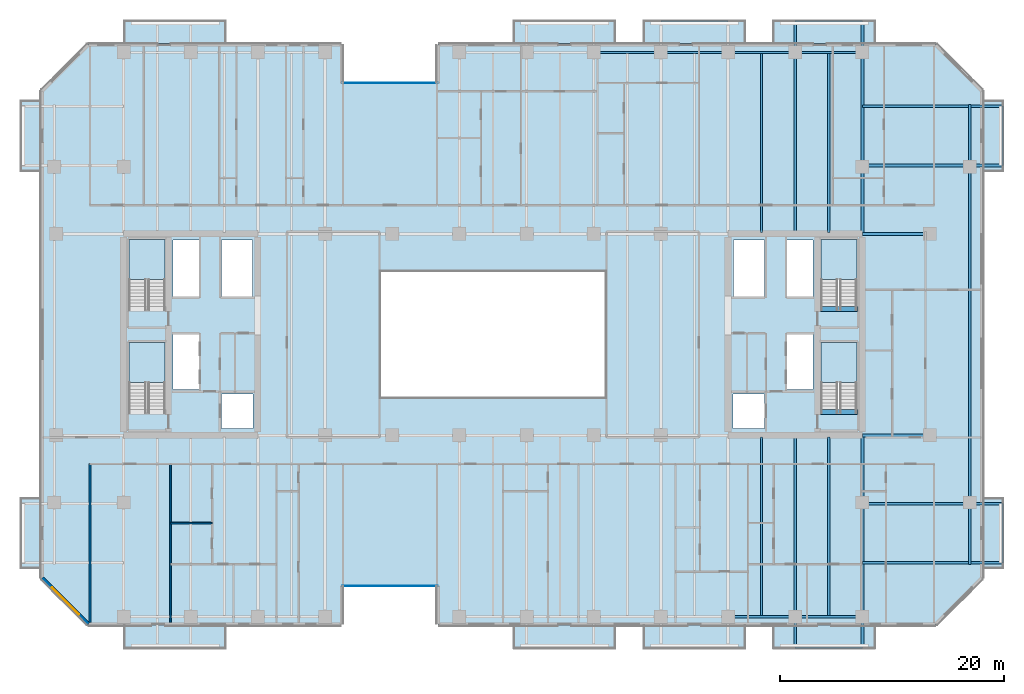
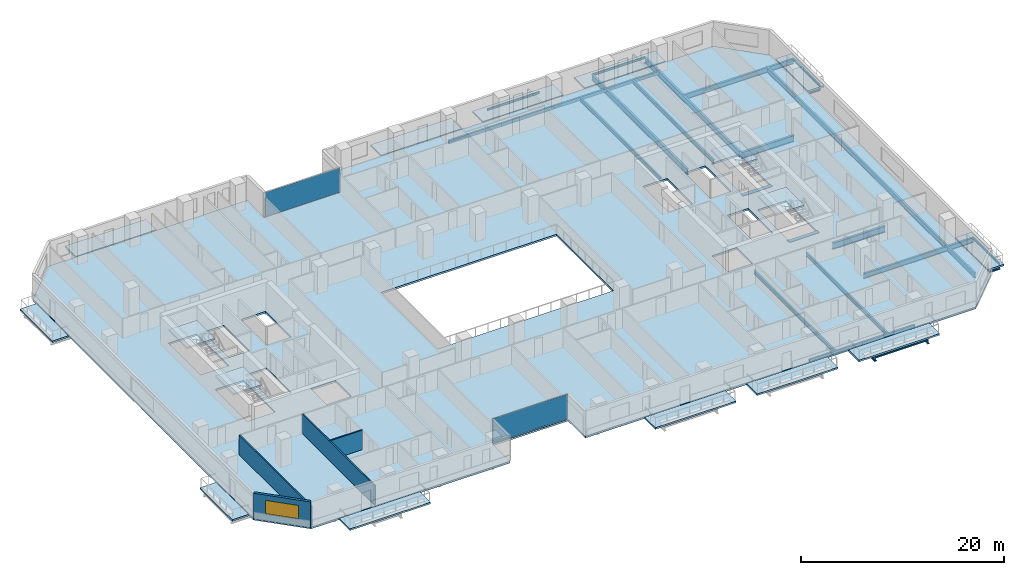
# One storey, part 9 of 26: 30 beams, 17 slabs, 4 walls, 2 plates, 1 window, 1 opening, 6 elements without a shape of their own.
"""IFC4 building model written with IfcOpenShell, lengths in metres."""

from ifc_helpers import new_model, si_unit, direction, frame, frame_2d, origin, origin_2d, place, context, subcontext, project, spatial, polyline, rectangle, hollow_rectangle, i_section, outline, extrude, material, layer, layer_set, material_profile, profile_set, type_object, element, fill, aggregate, save


model = new_model("IFC4")

# Units and contexts
model_context = context("Model", 3, precision=1e-05, world=origin(), true_north=direction((0.0, 1.0)))
body_context = subcontext(model_context, "Body", "Model", "MODEL_VIEW")
ifc_project = project(units=[si_unit("LENGTHUNIT", "METRE"), si_unit("AREAUNIT", "SQUARE_METRE"), si_unit("VOLUMEUNIT", "CUBIC_METRE"), si_unit("PLANEANGLEUNIT", "RADIAN"), si_unit("MASSUNIT", "GRAM", prefix="KILO")], contexts=[model_context])

# Site, building, storey
site_placement = place(None, origin())
site = spatial("IfcSite", under=ifc_project, at=site_placement, CompositionType="ELEMENT")
building_placement = place(site_placement, origin())
building = spatial("IfcBuilding", under=site, at=building_placement, Name="Tanjung Sevakor Pilgrim Tower", CompositionType="ELEMENT")
storey_placement = place(building_placement, frame((0.0, 0.0, 45.5400390625)))
storey = spatial("IfcBuildingStorey", under=building, at=storey_placement, Name="L12", CompositionType="ELEMENT", Elevation=45.5400390625)

# Beams
ifc_material_1 = material(Name="Steel S355J2", Category="steel")
ifc_material_profile_1 = material_profile(ifc_material_1, i_section(OverallWidth=0.26806640625, OverallDepth=0.769775390625, WebThickness=0.015625, FlangeThickness=0.025390625, FilletRadius=0.0166015625, at=origin_2d()))
ifc_profile_set_1 = profile_set([ifc_material_profile_1], Name="Steel S355J2")
beam_type_1 = type_object("IfcBeamType", Name="BM-B-G1-UB_762x267x197", PredefinedType="BEAM", material=ifc_profile_set_1)
for number, where, z_axis, x_axis, name in (
    (1, (90.0, 24.60009765625, -0.60498046875), (1.0, 0.0, 0.0), (0.0, 1.0, 0.0), "L12 Primary Floor Girder MAIN Y246-09"),
    (2, (90.0, 42.60009765625, -0.60498046875), (1.0, 0.0, 0.0), (0.0, 1.0, 0.0), "L12 Primary Floor Girder MAIN Y426-09"),
):
    element("IfcBeam", number, at=place(storey_placement, frame(where, z_axis=z_axis, x_axis=x_axis)), inside=storey, type_object=beam_type_1, Name=name, PredefinedType="BEAM", context=body_context, shape_type="SweptSolid", body=[
        extrude(i_section(OverallWidth=0.26806640625, OverallDepth=0.769775390625, WebThickness=0.015625, FlangeThickness=0.025390625, FilletRadius=0.0166015625, at=origin_2d()), origin(), (0.0, 0.0, 1.0), 6.0),
    ])
ifc_material_2 = material(Name="Steel S355J2", Category="steel")
ifc_material_profile_2 = material_profile(ifc_material_2, i_section(OverallWidth=0.25439453125, OverallDepth=0.6875, WebThickness=0.01318359375, FlangeThickness=0.02099609375, FilletRadius=0.01513671875, at=origin_2d()))
ifc_profile_set_2 = profile_set([ifc_material_profile_2], Name="Steel S355J2")
beam_type_2 = type_object("IfcBeamType", Name="BM-B-G2-UB_686x254x152", PredefinedType="BEAM", material=ifc_profile_set_2)
beam_1_placement = place(storey_placement, frame((84.0, 24.466064453125, -0.563720703125), z_axis=(0.0, -1.0, 0.0), x_axis=(1.0, 0.0, 0.0)))
element("IfcBeam", 3, at=beam_1_placement, inside=storey, type_object=beam_type_2, Name="L12 Balcony Cantilever Beam MAIN-S4-1", PredefinedType="BEAM", context=body_context, shape_type="SweptSolid", body=[
    extrude(i_section(OverallWidth=0.25439453125, OverallDepth=0.6875, WebThickness=0.01318359375, FlangeThickness=0.02099609375, FilletRadius=0.01513671875, at=origin_2d()), origin(), (0.0, 0.0, 1.0), 18.845947265625),
])
beam_2_placement = place(storey_placement, frame((84.0, 42.73388671875, -0.563720703125), z_axis=(0.0, 1.0, 0.0), x_axis=(-1.0, 0.0, 0.0)))
element("IfcBeam", 4, at=beam_2_placement, inside=storey, type_object=beam_type_2, Name="L12 Balcony Cantilever Beam MAIN-N4-1", PredefinedType="BEAM", context=body_context, shape_type="SweptSolid", body=[
    extrude(i_section(OverallWidth=0.25439453125, OverallDepth=0.6875, WebThickness=0.01318359375, FlangeThickness=0.02099609375, FilletRadius=0.01513671875, at=origin_2d()), origin(), (0.0, 0.0, 1.0), 18.84619140625),
])
beam_3_placement = place(storey_placement, frame((90.0, 24.466064453125, -0.563720703125), z_axis=(0.0, -1.0, 0.0), x_axis=(1.0, 0.0, 0.0)))
element("IfcBeam", 5, at=beam_3_placement, inside=storey, type_object=beam_type_2, Name="L12 Balcony Cantilever Beam MAIN-S4-2", PredefinedType="BEAM", context=body_context, shape_type="SweptSolid", body=[
    extrude(i_section(OverallWidth=0.25439453125, OverallDepth=0.6875, WebThickness=0.01318359375, FlangeThickness=0.02099609375, FilletRadius=0.01513671875, at=origin_2d()), origin(), (0.0, 0.0, 1.0), 18.845947265625),
])
beam_4_placement = place(storey_placement, frame((90.0, 42.73388671875, -0.563720703125), z_axis=(0.0, 1.0, 0.0), x_axis=(-1.0, 0.0, 0.0)))
element("IfcBeam", 6, at=beam_4_placement, inside=storey, type_object=beam_type_2, Name="L12 Balcony Cantilever Beam MAIN-N4-2", PredefinedType="BEAM", context=body_context, shape_type="SweptSolid", body=[
    extrude(i_section(OverallWidth=0.25439453125, OverallDepth=0.6875, WebThickness=0.01318359375, FlangeThickness=0.02099609375, FilletRadius=0.01513671875, at=origin_2d()), origin(), (0.0, 0.0, 1.0), 18.84619140625),
])
ifc_material_3 = material(Name="Steel S355J2", Category="steel")
ifc_material_profile_3 = material_profile(ifc_material_3, i_section(OverallWidth=0.22900390625, OverallDepth=0.6123046875, WebThickness=0.011962890625, FlangeThickness=0.01953125, FilletRadius=0.0126953125, at=origin_2d()))
ifc_profile_set_3 = profile_set([ifc_material_profile_3], Name="Steel S355J2")
beam_type_3 = type_object("IfcBeamType", Name="BM-B-G4-UB_610x229x125", PredefinedType="BEAM", material=ifc_profile_set_3)
beam_5_placement = place(storey_placement, frame((99.60009765625, 18.60009765625, -0.526123046875), z_axis=(0.0, 1.0, 0.0), x_axis=(-1.0, 0.0, 0.0)))
element("IfcBeam", 7, at=beam_5_placement, inside=storey, type_object=beam_type_3, Name="L12 Short-End Edge Girder E", PredefinedType="BEAM", context=body_context, shape_type="SweptSolid", body=[
    extrude(i_section(OverallWidth=0.22900390625, OverallDepth=0.6123046875, WebThickness=0.011962890625, FlangeThickness=0.01953125, FilletRadius=0.0126953125, at=origin_2d()), origin(), (0.0, 0.0, 1.0), 30.0),
])
beam_6_placement = place(storey_placement, frame((99.60009765625, 18.60009765625, -0.526123046875), z_axis=(0.0, -1.0, 0.0), x_axis=(1.0, 0.0, 0.0)))
element("IfcBeam", 8, at=beam_6_placement, inside=storey, type_object=beam_type_3, Name="L12 Short-End Edge Extension S-E", PredefinedType="BEAM", context=body_context, shape_type="SweptSolid", body=[
    extrude(i_section(OverallWidth=0.22900390625, OverallDepth=0.6123046875, WebThickness=0.011962890625, FlangeThickness=0.01953125, FilletRadius=0.0126953125, at=origin_2d()), origin(), (0.0, 0.0, 1.0), 5.550048828125),
])
for number, where, z_axis, x_axis, name in (
    (9, (90.0, 13.199951171875, -0.526123046875), (1.0, 0.0, 0.0), (0.0, 1.0, 0.0), "L12 Balcony Overhanging Beam MAIN-E1-1"),
    (10, (90.0, 18.5, -0.526123046875), (1.0, 0.0, 0.0), (0.0, 1.0, 0.0), "L12 Balcony Overhanging Beam MAIN-E1-2"),
):
    element("IfcBeam", number, at=place(storey_placement, frame(where, z_axis=z_axis, x_axis=x_axis)), inside=storey, type_object=beam_type_3, Name=name, PredefinedType="BEAM", context=body_context, shape_type="SweptSolid", body=[
        extrude(i_section(OverallWidth=0.22900390625, OverallDepth=0.6123046875, WebThickness=0.011962890625, FlangeThickness=0.01953125, FilletRadius=0.0126953125, at=origin_2d()), origin(), (0.0, 0.0, 1.0), 12.530029296875),
    ])
beam_7_placement = place(storey_placement, frame((99.60009765625, 48.60009765625, -0.526123046875), z_axis=(0.0, 1.0, 0.0), x_axis=(-1.0, 0.0, 0.0)))
element("IfcBeam", 11, at=beam_7_placement, inside=storey, type_object=beam_type_3, Name="L12 Short-End Edge Extension N-E", PredefinedType="BEAM", context=body_context, shape_type="SweptSolid", body=[
    extrude(i_section(OverallWidth=0.22900390625, OverallDepth=0.6123046875, WebThickness=0.011962890625, FlangeThickness=0.01953125, FilletRadius=0.0126953125, at=origin_2d()), origin(), (0.0, 0.0, 1.0), 5.5498046875),
])
for number, where, z_axis, x_axis, name in (
    (12, (90.0, 48.699951171875, -0.526123046875), (1.0, 0.0, 0.0), (0.0, 1.0, 0.0), "L12 Balcony Overhanging Beam MAIN-E2-1"),
    (13, (90.0, 54.0, -0.526123046875), (1.0, 0.0, 0.0), (0.0, 1.0, 0.0), "L12 Balcony Overhanging Beam MAIN-E2-2"),
):
    element("IfcBeam", number, at=place(storey_placement, frame(where, z_axis=z_axis, x_axis=x_axis)), inside=storey, type_object=beam_type_3, Name=name, PredefinedType="BEAM", context=body_context, shape_type="SweptSolid", body=[
        extrude(i_section(OverallWidth=0.22900390625, OverallDepth=0.6123046875, WebThickness=0.011962890625, FlangeThickness=0.01953125, FilletRadius=0.0126953125, at=origin_2d()), origin(), (0.0, 0.0, 1.0), 12.530029296875),
    ])
ifc_material_4 = material(Name="Steel S355J2", Category="steel")
ifc_material_profile_4 = material_profile(ifc_material_4, i_section(OverallWidth=0.19140625, OverallDepth=0.4599609375, WebThickness=0.010009765625, FlangeThickness=0.01611328125, FilletRadius=0.01025390625, at=origin_2d()))
ifc_profile_set_4 = profile_set([ifc_material_profile_4], Name="Steel S355J2")
beam_type_4 = type_object("IfcBeamType", Name="BM-B-J2-UB_457x191x82", PredefinedType="JOIST", material=ifc_profile_set_4)
for number, where, z_axis, x_axis, name in (
    (14, (81.0, 8.5, -0.449951171875), (0.0, 1.0, 0.0), (-1.0, 0.0, 0.0), "L12 MAIN Joist 026"),
    (15, (81.0, 42.73388671875, -0.449951171875), (0.0, 1.0, 0.0), (-1.0, 0.0, 0.0), "L12 MAIN Joist 027"),
    (16, (87.0, 8.5, -0.449951171875), (0.0, 1.0, 0.0), (-1.0, 0.0, 0.0), "L12 MAIN Joist 028"),
    (17, (87.0, 42.73388671875, -0.449951171875), (0.0, 1.0, 0.0), (-1.0, 0.0, 0.0), "L12 MAIN Joist 029"),
):
    element("IfcBeam", number, at=place(storey_placement, frame(where, z_axis=z_axis, x_axis=x_axis)), inside=storey, type_object=beam_type_4, Name=name, PredefinedType="JOIST", context=body_context, shape_type="SweptSolid", body=[
        extrude(i_section(OverallWidth=0.19140625, OverallDepth=0.4599609375, WebThickness=0.010009765625, FlangeThickness=0.01611328125, FilletRadius=0.01025390625, at=origin_2d()), origin(), (0.0, 0.0, 1.0), 15.966064453125),
    ])
ifc_material_5 = material(Name="Steel S355J2", Category="steel")
ifc_material_profile_5 = material_profile(ifc_material_5, i_section(OverallWidth=0.146484375, OverallDepth=0.256103515625, WebThickness=0.00634765625, FlangeThickness=0.010986328125, FilletRadius=0.007568359375, at=origin_2d()))
ifc_profile_set_5 = profile_set([ifc_material_profile_5], Name="Steel S355J2")
beam_type_5 = type_object("IfcBeamType", Name="BM-B-J6-UB_254x146x37", PredefinedType="JOIST", material=ifc_profile_set_5)
for number, where, z_axis, x_axis, name in (
    (18, (72.0, 61.580078125, -0.328125), (1.0, 0.0, 0.0), (0.0, 1.0, 0.0), "L12 Balcony Rim Tie MAIN-N3"),
    (19, (84.0, 5.6201171875, -0.328125), (1.0, 0.0, 0.0), (0.0, 1.0, 0.0), "L12 Balcony Rim Tie MAIN-S4"),
    (20, (84.0, 61.580078125, -0.328125), (1.0, 0.0, 0.0), (0.0, 1.0, 0.0), "L12 Balcony Rim Tie MAIN-N4"),
):
    element("IfcBeam", number, at=place(storey_placement, frame(where, z_axis=z_axis, x_axis=x_axis)), inside=storey, type_object=beam_type_5, Name=name, PredefinedType="JOIST", context=body_context, shape_type="SweptSolid", body=[
        extrude(i_section(OverallWidth=0.146484375, OverallDepth=0.256103515625, WebThickness=0.00634765625, FlangeThickness=0.010986328125, FilletRadius=0.007568359375, at=origin_2d()), origin(), (0.0, 0.0, 1.0), 6.0),
    ])
for number, where, z_axis, x_axis, name in (
    (21, (102.530029296875, 13.199951171875, -0.328125), (0.0, 1.0, 0.0), (-1.0, 0.0, 0.0), "L12 Balcony Rim Tie MAIN-E1"),
    (22, (102.530029296875, 48.699951171875, -0.328125), (0.0, 1.0, 0.0), (-1.0, 0.0, 0.0), "L12 Balcony Rim Tie MAIN-E2"),
):
    element("IfcBeam", number, at=place(storey_placement, frame(where, z_axis=z_axis, x_axis=x_axis)), inside=storey, type_object=beam_type_5, Name=name, PredefinedType="JOIST", context=body_context, shape_type="SweptSolid", body=[
        extrude(i_section(OverallWidth=0.146484375, OverallDepth=0.256103515625, WebThickness=0.00634765625, FlangeThickness=0.010986328125, FilletRadius=0.007568359375, at=origin_2d()), origin(), (0.0, 0.0, 1.0), 5.300048828125),
    ])
ifc_material_6 = material(Name="Concrete C60/75", Category="concrete")
ifc_material_profile_6 = material_profile(ifc_material_6, rectangle(XDim=0.449951171875, YDim=0.699951171875, at=origin_2d()))
ifc_profile_set_6 = profile_set([ifc_material_profile_6], Name="Concrete C60/75")
beam_type_6 = type_object("IfcBeamType", Name="BM-B-LN3-RC-BM_450x700", PredefinedType="LINTEL", material=ifc_profile_set_6)
for number, where, z_axis, x_axis, name in (
    (23, (86.199951171875, 26.699951171875, -0.35009765625), (1.0, 0.0, 0.0), (0.0, 1.0, 0.0), "L12 TS-E1 Stair Threshold Beam"),
    (24, (86.199951171875, 35.89990234375, -0.35009765625), (1.0, 0.0, 0.0), (0.0, 1.0, 0.0), "L12 TS-E2 Stair Threshold Beam"),
):
    element("IfcBeam", number, at=place(storey_placement, frame(where, z_axis=z_axis, x_axis=x_axis)), inside=storey, type_object=beam_type_6, Name=name, PredefinedType="LINTEL", context=body_context, shape_type="SweptSolid", body=[
        extrude(rectangle(XDim=0.449951171875, YDim=0.699951171875, at=origin_2d()), origin(), (0.0, 0.0, 1.0), 3.400146484375),
    ])
ifc_material_7 = material(Name="Steel S355J2", Category="steel")
ifc_material_profile_7 = material_profile(ifc_material_7, hollow_rectangle(XDim=0.199951171875, YDim=0.39990234375, WallThickness=0.01611328125, at=origin_2d()))
ifc_profile_set_7 = profile_set([ifc_material_profile_7], Name="Steel S355J2")
beam_type_7 = type_object("IfcBeamType", Name="BM-B-SP2-RHS_400x200x16", PredefinedType="SPANDREL", material=ifc_profile_set_7)
for number, where, z_axis, x_axis, name in (
    (25, (66.0, 58.800048828125, -0.419921875), (1.0, 0.0, 0.0), (0.0, 1.0, 0.0), "L12 Spandrel MAIN N-12"),
    (26, (72.0, 58.800048828125, -0.419921875), (1.0, 0.0, 0.0), (0.0, 1.0, 0.0), "L12 Spandrel MAIN N-14"),
    (27, (78.0, 8.39990234375, -0.419921875), (1.0, 0.0, 0.0), (0.0, 1.0, 0.0), "L12 Spandrel MAIN S-15"),
    (28, (78.0, 58.800048828125, -0.419921875), (1.0, 0.0, 0.0), (0.0, 1.0, 0.0), "L12 Spandrel MAIN N-16"),
    (29, (84.0, 8.39990234375, -0.419921875), (1.0, 0.0, 0.0), (0.0, 1.0, 0.0), "L12 Spandrel MAIN S-17"),
    (30, (84.0, 58.800048828125, -0.419921875), (1.0, 0.0, 0.0), (0.0, 1.0, 0.0), "L12 Spandrel MAIN N-18"),
):
    element("IfcBeam", number, at=place(storey_placement, frame(where, z_axis=z_axis, x_axis=x_axis)), inside=storey, type_object=beam_type_7, Name=name, PredefinedType="SPANDREL", context=body_context, shape_type="SweptSolid", body=[
        extrude(hollow_rectangle(XDim=0.199951171875, YDim=0.39990234375, WallThickness=0.01611328125, at=origin_2d()), origin(), (0.0, 0.0, 1.0), 6.0),
    ])

# Slabs
ifc_material_8 = material(Name="Concrete C40/50", Category="concrete")
ifc_layer_1 = layer(ifc_material_8, 0.199951171875)
ifc_layer_set_1 = layer_set([ifc_layer_1], Name="SL-BAL-200")
slab_type_1 = type_object("IfcSlabType", Name="SL-BAL-200", PredefinedType="FLOOR", material=ifc_layer_set_1)
slab_1_placement = place(storey_placement, frame((0.0, 0.0, -0.199951171875)))
element("IfcSlab", 31, at=slab_1_placement, inside=storey, type_object=slab_type_1, Name="L12 Planted Loggia Balcony MAIN-S1", PredefinedType="FLOOR", context=body_context, shape_type="SweptSolid", body=[
    extrude(outline(polyline([(24.0, 5.5), (33.199951171875, 5.5), (33.199951171875, 7.60009765625), (24.0, 7.60009765625), (24.0, 5.5)])), origin(), (0.0, 0.0, 1.0), 0.199951171875),
])
slab_2_placement = place(storey_placement, frame((0.0, 0.0, -0.199951171875)))
element("IfcSlab", 32, at=slab_2_placement, inside=storey, type_object=slab_type_1, Name="L12 Planted Loggia Balcony MAIN-N1", PredefinedType="FLOOR", context=body_context, shape_type="SweptSolid", body=[
    extrude(outline(polyline([(24.0, 59.60009765625), (33.199951171875, 59.60009765625), (33.199951171875, 61.699951171875), (24.0, 61.699951171875), (24.0, 59.60009765625)])), origin(), (0.0, 0.0, 1.0), 0.199951171875),
])
slab_3_placement = place(storey_placement, frame((0.0, 0.0, -0.199951171875)))
element("IfcSlab", 33, at=slab_3_placement, inside=storey, type_object=slab_type_1, Name="L12 Planted Loggia Balcony MAIN-S2", PredefinedType="FLOOR", context=body_context, shape_type="SweptSolid", body=[
    extrude(outline(polyline([(58.800048828125, 5.5), (68.0, 5.5), (68.0, 7.60009765625), (58.800048828125, 7.60009765625), (58.800048828125, 5.5)])), origin(), (0.0, 0.0, 1.0), 0.199951171875),
])
slab_4_placement = place(storey_placement, frame((0.0, 0.0, -0.199951171875)))
element("IfcSlab", 34, at=slab_4_placement, inside=storey, type_object=slab_type_1, Name="L12 Planted Loggia Balcony MAIN-N2", PredefinedType="FLOOR", context=body_context, shape_type="SweptSolid", body=[
    extrude(outline(polyline([(58.800048828125, 59.60009765625), (68.0, 59.60009765625), (68.0, 61.699951171875), (58.800048828125, 61.699951171875), (58.800048828125, 59.60009765625)])), origin(), (0.0, 0.0, 1.0), 0.199951171875),
])
slab_5_placement = place(storey_placement, frame((0.0, 0.0, -0.199951171875)))
element("IfcSlab", 35, at=slab_5_placement, inside=storey, type_object=slab_type_1, Name="L12 Planted Loggia Balcony MAIN-S3", PredefinedType="FLOOR", context=body_context, shape_type="SweptSolid", body=[
    extrude(outline(polyline([(70.39990234375, 5.5), (79.60009765625, 5.5), (79.60009765625, 7.60009765625), (70.39990234375, 7.60009765625), (70.39990234375, 5.5)])), origin(), (0.0, 0.0, 1.0), 0.199951171875),
])
slab_6_placement = place(storey_placement, frame((0.0, 0.0, -0.199951171875)))
element("IfcSlab", 36, at=slab_6_placement, inside=storey, type_object=slab_type_1, Name="L12 Planted Loggia Balcony MAIN-N3", PredefinedType="FLOOR", context=body_context, shape_type="SweptSolid", body=[
    extrude(outline(polyline([(70.39990234375, 59.60009765625), (79.60009765625, 59.60009765625), (79.60009765625, 61.699951171875), (70.39990234375, 61.699951171875), (70.39990234375, 59.60009765625)])), origin(), (0.0, 0.0, 1.0), 0.199951171875),
])
slab_7_placement = place(storey_placement, frame((0.0, 0.0, -0.199951171875)))
element("IfcSlab", 37, at=slab_7_placement, inside=storey, type_object=slab_type_1, Name="L12 Planted Loggia Balcony MAIN-S4", PredefinedType="FLOOR", context=body_context, shape_type="SweptSolid", body=[
    extrude(outline(polyline([(82.0, 5.5), (91.199951171875, 5.5), (91.199951171875, 7.60009765625), (82.0, 7.60009765625), (82.0, 5.5)])), origin(), (0.0, 0.0, 1.0), 0.199951171875),
])
slab_8_placement = place(storey_placement, frame((0.0, 0.0, -0.199951171875)))
element("IfcSlab", 38, at=slab_8_placement, inside=storey, type_object=slab_type_1, Name="L12 Planted Loggia Balcony MAIN-N4", PredefinedType="FLOOR", context=body_context, shape_type="SweptSolid", body=[
    extrude(outline(polyline([(82.0, 59.60009765625), (91.199951171875, 59.60009765625), (91.199951171875, 61.699951171875), (82.0, 61.699951171875), (82.0, 59.60009765625)])), origin(), (0.0, 0.0, 1.0), 0.199951171875),
])
slab_9_placement = place(storey_placement, frame((0.0, 0.0, -0.199951171875)))
element("IfcSlab", 39, at=slab_9_placement, inside=storey, type_object=slab_type_1, Name="L12 Planted Loggia Balcony MAIN-W1", PredefinedType="FLOOR", context=body_context, shape_type="SweptSolid", body=[
    extrude(outline(polyline([(14.75, 12.64990234375), (16.60009765625, 12.64990234375), (16.60009765625, 19.050048828125), (14.75, 19.050048828125), (14.75, 12.64990234375)])), origin(), (0.0, 0.0, 1.0), 0.199951171875),
])
slab_10_placement = place(storey_placement, frame((0.0, 0.0, -0.199951171875)))
element("IfcSlab", 40, at=slab_10_placement, inside=storey, type_object=slab_type_1, Name="L12 Planted Loggia Balcony MAIN-E1", PredefinedType="FLOOR", context=body_context, shape_type="SweptSolid", body=[
    extrude(outline(polyline([(100.800048828125, 12.64990234375), (102.64990234375, 12.64990234375), (102.64990234375, 19.050048828125), (100.800048828125, 19.050048828125), (100.800048828125, 12.64990234375)])), origin(), (0.0, 0.0, 1.0), 0.199951171875),
])
slab_11_placement = place(storey_placement, frame((0.0, 0.0, -0.199951171875)))
element("IfcSlab", 41, at=slab_11_placement, inside=storey, type_object=slab_type_1, Name="L12 Planted Loggia Balcony MAIN-W2", PredefinedType="FLOOR", context=body_context, shape_type="SweptSolid", body=[
    extrude(outline(polyline([(14.75, 48.14990234375), (16.60009765625, 48.14990234375), (16.60009765625, 54.550048828125), (14.75, 54.550048828125), (14.75, 48.14990234375)])), origin(), (0.0, 0.0, 1.0), 0.199951171875),
])
slab_12_placement = place(storey_placement, frame((0.0, 0.0, -0.199951171875)))
element("IfcSlab", 42, at=slab_12_placement, inside=storey, type_object=slab_type_1, Name="L12 Planted Loggia Balcony MAIN-E2", PredefinedType="FLOOR", context=body_context, shape_type="SweptSolid", body=[
    extrude(outline(polyline([(100.800048828125, 48.14990234375), (102.64990234375, 48.14990234375), (102.64990234375, 54.550048828125), (100.800048828125, 54.550048828125), (100.800048828125, 48.14990234375)])), origin(), (0.0, 0.0, 1.0), 0.199951171875),
])

# Stair, slab
ifc_material_9 = material(Name="Concrete C40/50", Category="concrete")
stair_type = type_object("IfcStairType", Name="STAIR-ST-CR150", PredefinedType="HALF_TURN_STAIR", material=ifc_material_9)
stair_1_placement = place(storey_placement, origin())
stair_1 = element("IfcStair", 43, at=stair_1_placement, inside=storey, type_object=stair_type, Name="L12 West Core Exit Stair 1", PredefinedType="HALF_TURN_STAIR")
ifc_material_10 = material(Name="Concrete C40/50", Category="concrete")
ifc_layer_2 = layer(ifc_material_10, 0.199951171875)
ifc_layer_set_2 = layer_set([ifc_layer_2], Name="SL-LAND-200")
slab_type_2 = type_object("IfcSlabType", Name="SL-LAND-200", PredefinedType="LANDING", material=ifc_layer_set_2)
slab_13_placement = place(storey_placement, frame((0.0, 0.0, 1.449951171875)))
slab_13 = element("IfcSlab", 44, at=slab_13_placement, type_object=slab_type_2, Name="TS-W1 landing 1", PredefinedType="LANDING", context=body_context, shape_type="SweptSolid", body=[
    extrude(outline(polyline([(27.699951171875, 29.300048828125), (27.699951171875, 32.89990234375), (24.5, 32.89990234375), (24.5, 29.300048828125), (27.699951171875, 29.300048828125)])), origin(), (0.0, 0.0, 1.0), 0.199951171875),
])
aggregate(stair_1, [slab_13])

stair_2_placement = place(storey_placement, origin())
stair_2 = element("IfcStair", 45, at=stair_2_placement, inside=storey, type_object=stair_type, Name="L12 West Core Exit Stair 2", PredefinedType="HALF_TURN_STAIR")
slab_14_placement = place(storey_placement, frame((0.0, 0.0, 1.449951171875)))
slab_14 = element("IfcSlab", 46, at=slab_14_placement, type_object=slab_type_2, Name="TS-W2 landing 1", PredefinedType="LANDING", context=body_context, shape_type="SweptSolid", body=[
    extrude(outline(polyline([(27.699951171875, 38.5), (27.699951171875, 42.10009765625), (24.5, 42.10009765625), (24.5, 38.5), (27.699951171875, 38.5)])), origin(), (0.0, 0.0, 1.0), 0.199951171875),
])
aggregate(stair_2, [slab_14])

stair_3_placement = place(storey_placement, origin())
stair_3 = element("IfcStair", 47, at=stair_3_placement, inside=storey, type_object=stair_type, Name="L12 East Core Exit Stair 1", PredefinedType="HALF_TURN_STAIR")
slab_15_placement = place(storey_placement, frame((0.0, 0.0, 1.449951171875)))
slab_15 = element("IfcSlab", 48, at=slab_15_placement, type_object=slab_type_2, Name="TS-E1 landing 1", PredefinedType="LANDING", context=body_context, shape_type="SweptSolid", body=[
    extrude(outline(polyline([(89.5, 29.300048828125), (89.5, 32.89990234375), (86.300048828125, 32.89990234375), (86.300048828125, 29.300048828125), (89.5, 29.300048828125)])), origin(), (0.0, 0.0, 1.0), 0.199951171875),
])
aggregate(stair_3, [slab_15])

stair_4_placement = place(storey_placement, origin())
stair_4 = element("IfcStair", 49, at=stair_4_placement, inside=storey, type_object=stair_type, Name="L12 East Core Exit Stair 2", PredefinedType="HALF_TURN_STAIR")
slab_16_placement = place(storey_placement, frame((0.0, 0.0, 1.449951171875)))
slab_16 = element("IfcSlab", 50, at=slab_16_placement, type_object=slab_type_2, Name="TS-E2 landing 1", PredefinedType="LANDING", context=body_context, shape_type="SweptSolid", body=[
    extrude(outline(polyline([(89.5, 38.5), (89.5, 42.10009765625), (86.300048828125, 42.10009765625), (86.300048828125, 38.5), (89.5, 38.5)])), origin(), (0.0, 0.0, 1.0), 0.199951171875),
])
aggregate(stair_4, [slab_16])

# Slab
ifc_material_11 = material(Name="Concrete C40/50", Category="concrete")
ifc_layer_3 = layer(ifc_material_11, 0.219970703125)
ifc_layer_set_3 = layer_set([ifc_layer_3], Name="SL-TWR-220")
slab_type_3 = type_object("IfcSlabType", Name="SL-TWR-220", PredefinedType="FLOOR", material=ifc_layer_set_3)
slab_17_placement = place(storey_placement, frame((0.0, 0.0, -0.219970703125)))
element("IfcSlab", 51, at=slab_17_placement, inside=storey, type_object=slab_type_3, Name="L12 Floor Slab MAIN", PredefinedType="FLOOR", context=body_context, shape_type="SweptSolid", body=[
    extrude(outline(polyline([(20.846923828125, 7.679931640625), (43.52001953125, 7.679931640625), (43.52001953125, 11.080078125), (52.080078125, 11.080078125), (52.080078125, 7.679931640625), (96.552978515625, 7.679931640625), (100.719970703125, 11.846923828125), (100.719970703125, 55.35302734375), (96.552978515625, 59.52001953125), (52.080078125, 59.52001953125), (52.080078125, 56.1201171875), (43.52001953125, 56.1201171875), (43.52001953125, 59.52001953125), (20.846923828125, 59.52001953125), (16.679931640625, 55.35302734375), (16.679931640625, 11.846923828125), (20.846923828125, 7.679931640625)]), holes=[polyline([(27.699951171875, 26.60009765625), (27.699951171875, 32.89990234375), (24.5, 32.89990234375), (24.5, 26.60009765625), (27.699951171875, 26.60009765625)]), polyline([(27.699951171875, 35.800048828125), (27.699951171875, 42.10009765625), (24.5, 42.10009765625), (24.5, 35.800048828125), (27.699951171875, 35.800048828125)]), polyline([(89.5, 26.60009765625), (89.5, 32.89990234375), (86.300048828125, 32.89990234375), (86.300048828125, 26.60009765625), (89.5, 26.60009765625)]), polyline([(89.5, 35.800048828125), (89.5, 42.10009765625), (86.300048828125, 42.10009765625), (86.300048828125, 35.800048828125), (89.5, 35.800048828125)]), polyline([(32.75, 25.199951171875), (35.550048828125, 25.199951171875), (35.550048828125, 28.300048828125), (32.75, 28.300048828125), (32.75, 25.199951171875)]), polyline([(28.39990234375, 28.699951171875), (30.75, 28.699951171875), (30.75, 33.60009765625), (28.39990234375, 33.60009765625), (28.39990234375, 28.699951171875)]), polyline([(28.39990234375, 37.0), (30.75, 37.0), (30.75, 42.050048828125), (28.39990234375, 42.050048828125), (28.39990234375, 37.0)]), polyline([(32.75, 37.0), (35.5, 37.0), (35.5, 42.050048828125), (32.75, 42.050048828125), (32.75, 37.0)]), polyline([(78.449951171875, 25.199951171875), (81.25, 25.199951171875), (81.25, 28.300048828125), (78.449951171875, 28.300048828125), (78.449951171875, 25.199951171875)]), polyline([(83.25, 28.699951171875), (85.60009765625, 28.699951171875), (85.60009765625, 33.60009765625), (83.25, 33.60009765625), (83.25, 28.699951171875)]), polyline([(83.25, 37.0), (85.60009765625, 37.0), (85.60009765625, 42.050048828125), (83.25, 42.050048828125), (83.25, 37.0)]), polyline([(78.5, 37.0), (81.25, 37.0), (81.25, 42.050048828125), (78.5, 42.050048828125), (78.5, 37.0)]), polyline([(47.0, 28.0), (67.0, 28.0), (67.0, 39.199951171875), (47.0, 39.199951171875), (47.0, 28.0)])]), origin(), (0.0, 0.0, 1.0), 0.219970703125),
])

# Curtain wall, plate
ifc_material_12 = material(Name="Aluminium 6063-T6 and Low-E Glass", Category="aluminium")
ifc_layer_4 = layer(ifc_material_12, 0.179931640625)
ifc_layer_set_4 = layer_set([ifc_layer_4], Name="CW-SYS-CLEFT")
curtain_wall_type = type_object("IfcCurtainWallType", Name="CW-SYS-CLEFT", PredefinedType="NOTDEFINED", material=ifc_layer_set_4)
curtain_wall_1_placement = place(storey_placement, origin())
curtain_wall_1 = element("IfcCurtainWall", 52, at=curtain_wall_1_placement, inside=storey, type_object=curtain_wall_type, Name="L12 Curtain Wall CW-CLF-L12-2", PredefinedType="NOTDEFINED")
ifc_material_13 = material(Name="Laminated Low-E Double Glazing", Category="glass")
ifc_layer_5 = layer(ifc_material_13, 0.028076171875)
ifc_layer_set_5 = layer_set([ifc_layer_5], Name="TYPE-CWP-GLZ1")
plate_type = type_object("IfcPlateType", Name="TYPE-CWP-GLZ1", PredefinedType="CURTAIN_PANEL", material=ifc_layer_set_5)
plate_1_placement = place(storey_placement, frame((47.800048828125, 11.139892578125, 0.06494140625), z_axis=(0.0, 0.0, 1.0), x_axis=(1.0, 0.0, 0.0)))
plate_1 = element("IfcPlate", 53, at=plate_1_placement, type_object=plate_type, Name="CW-CLF panel 1.1", PredefinedType="CURTAIN_PANEL", context=body_context, shape_type="SweptSolid", body=[
    extrude(rectangle(XDim=8.530029296875, YDim=0.028076171875, at=origin_2d()), origin(), (0.0, 0.0, 1.0), 2.949951171875),
])
aggregate(curtain_wall_1, [plate_1])

curtain_wall_2_placement = place(storey_placement, origin())
curtain_wall_2 = element("IfcCurtainWall", 54, at=curtain_wall_2_placement, inside=storey, type_object=curtain_wall_type, Name="L12 Curtain Wall CW-CLF-L12-10", PredefinedType="NOTDEFINED")
plate_2_placement = place(storey_placement, frame((47.800048828125, 56.06005859375, 0.06494140625), z_axis=(0.0, 0.0, 1.0), x_axis=(-1.0, 0.0, 0.0)))
plate_2 = element("IfcPlate", 55, at=plate_2_placement, type_object=plate_type, Name="CW-CLF panel 1.1", PredefinedType="CURTAIN_PANEL", context=body_context, shape_type="SweptSolid", body=[
    extrude(rectangle(XDim=8.530029296875, YDim=0.028076171875, at=origin_2d()), origin(), (0.0, 0.0, 1.0), 2.949951171875),
])
aggregate(curtain_wall_2, [plate_2])

# Walls
ifc_material_14 = material(Name="Concrete C40/50", Category="concrete")
ifc_layer_6 = layer(ifc_material_14, 0.14990234375)
ifc_layer_set_6 = layer_set([ifc_layer_6], Name="WT-COMP-150")
wall_type_1 = type_object("IfcWallType", Name="WT-COMP-150", PredefinedType="SOLIDWALL", material=ifc_layer_set_6)
for number, where, z_axis, x_axis, name in (
    (56, (21.0, 7.8798828125, 0.0), (0.0, 0.0, 1.0), (0.0, 1.0, 0.0), "L12 Partition IW-L12-046"),
    (57, (28.20654296875, 7.8798828125, 0.0), (0.0, 0.0, 1.0), (0.0, 1.0, 0.0), "L12 Partition IW-L12-047"),
):
    element("IfcWall", number, at=place(storey_placement, frame(where, z_axis=z_axis, x_axis=x_axis)), inside=storey, type_object=wall_type_1, Name=name, PredefinedType="SOLIDWALL", context=body_context, shape_type="SweptSolid", body=[
        extrude(rectangle(XDim=14.170166015625, YDim=0.14990234375, at=frame_2d((7.0849609375, 0.0))), origin(), (0.0, 0.0, 1.0), 2.35009765625),
    ])

# Wall, opening, window
ifc_material_15 = material(Name="Precast concrete C45/55", Category="concrete")
ifc_layer_7 = layer(ifc_material_15, 0.280029296875)
ifc_layer_set_7 = layer_set([ifc_layer_7], Name="WT-EW-STN2")
wall_type_2 = type_object("IfcWallType", Name="WT-EW-STN2", PredefinedType="SOLIDWALL", material=ifc_layer_set_7)
wall_1_placement = place(storey_placement, frame((16.739990234375, 11.85791015625, 0.0), z_axis=(0.0, 0.0, 1.0), x_axis=(0.707106781187, -0.707106781187, 0.0)))
wall_1 = element("IfcWall", 58, at=wall_1_placement, inside=storey, type_object=wall_type_2, Name="L12 MAIN Sculpted Corner Wall 15", PredefinedType="SOLIDWALL", context=body_context, shape_type="SweptSolid", body=[
    extrude(rectangle(XDim=5.82373046875, YDim=0.280029296875, at=frame_2d((2.911865234375, 0.0))), origin(), (0.0, 0.0, 1.0), 3.080078125),
])
opening_placement = place(wall_1_placement, frame((1.2119140625, 0.0, 0.780029296875)))
opening = element("IfcOpeningElement", 59, at=opening_placement, cuts=wall_1, Name="Opening WN-CHM-1660", PredefinedType="OPENING", context=body_context, shape_type="SweptSolid", body=[
    extrude(rectangle(XDim=3.39990234375, YDim=1.659912109375, at=frame_2d((1.699951171875, 0.830078125))), frame((0.0, 0.14990234375, 0.0), z_axis=(0.0, -1.0, 0.0), x_axis=(1.0, 0.0, 0.0)), (0.0, 0.0, 1.0), 0.300048828125),
])
ifc_material_16 = material(Name="Thermally Broken Aluminium and Low-E Glass", Category="aluminium")
window_type = type_object("IfcWindowType", Name="WTYP-WN-CHM-1660", PartitioningType="DOUBLE_PANEL_VERTICAL", PredefinedType="WINDOW", material=ifc_material_16)
window_placement = place(opening_placement, origin())
window = element("IfcWindow", 60, at=window_placement, inside=storey, type_object=window_type, Name="L12 Facade Window 01", OverallHeight=1.659912109375, OverallWidth=3.39990234375, PartitioningType="SINGLE_PANEL", PredefinedType="WINDOW", context=body_context, shape_type="SweptSolid", body=[
    extrude(rectangle(XDim=3.39990234375, YDim=1.659912109375, at=frame_2d((1.699951171875, 0.830078125))), frame((0.0, 0.030029296875, 0.0), z_axis=(0.0, -1.0, 0.0), x_axis=(1.0, 0.0, 0.0)), (0.0, 0.0, 1.0), 0.06005859375),
])
fill(opening, window)

# Wall
ifc_material_17 = material(Name="Gypsum Board Partition", Category="gypsum board")
ifc_layer_8 = layer(ifc_material_17, 0.14990234375)
ifc_layer_set_8 = layer_set([ifc_layer_8], Name="WT-PART-150")
wall_type_3 = type_object("IfcWallType", Name="WT-PART-150", PredefinedType="PARTITIONING", material=ifc_layer_set_8)
wall_2_placement = place(storey_placement, frame((28.20654296875, 16.7578125, 0.0), z_axis=(0.0, 0.0, 1.0), x_axis=(1.0, 0.0, 0.0)))
element("IfcWall", 61, at=wall_2_placement, inside=storey, type_object=wall_type_3, Name="L12 Partition IW-L12-050", PredefinedType="PARTITIONING", context=body_context, shape_type="SweptSolid", body=[
    extrude(rectangle(XDim=3.71337890625, YDim=0.14990234375, at=frame_2d((1.856689453125, 0.0))), origin(), (0.0, 0.0, 1.0), 2.35009765625),
])

save(model, "model.ifc")
